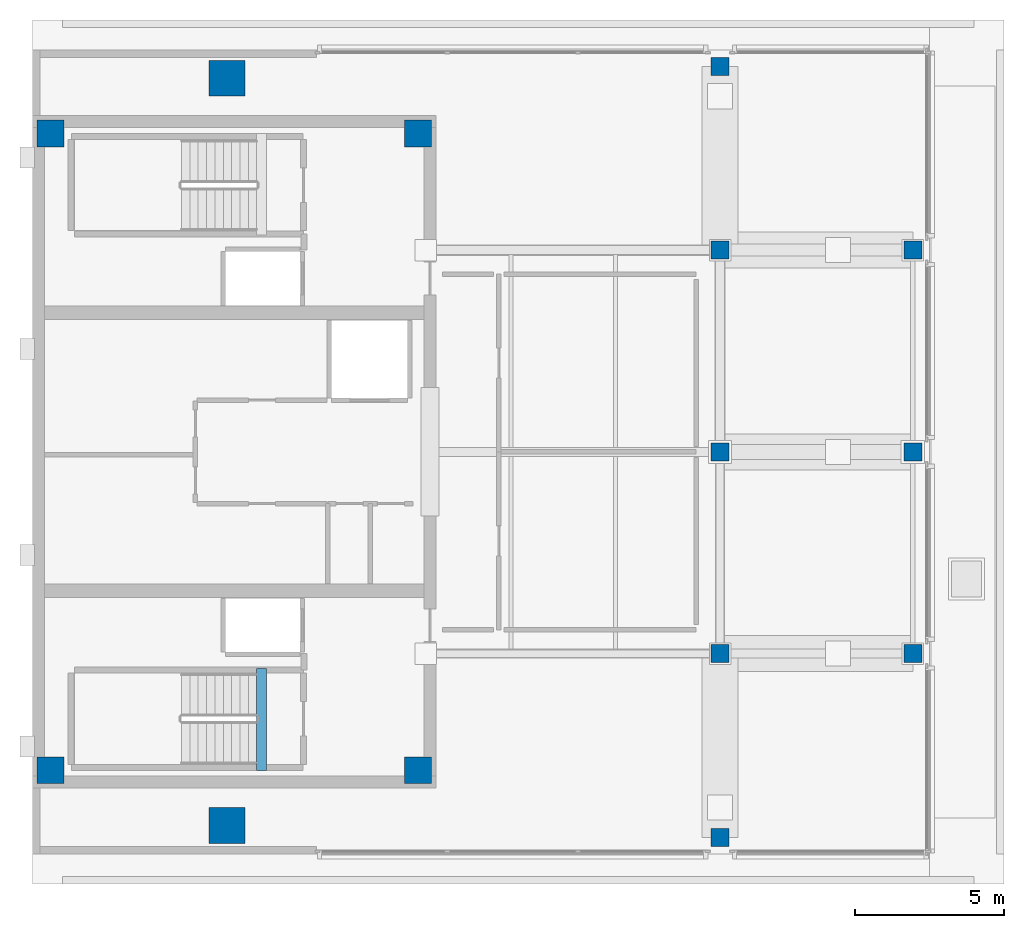
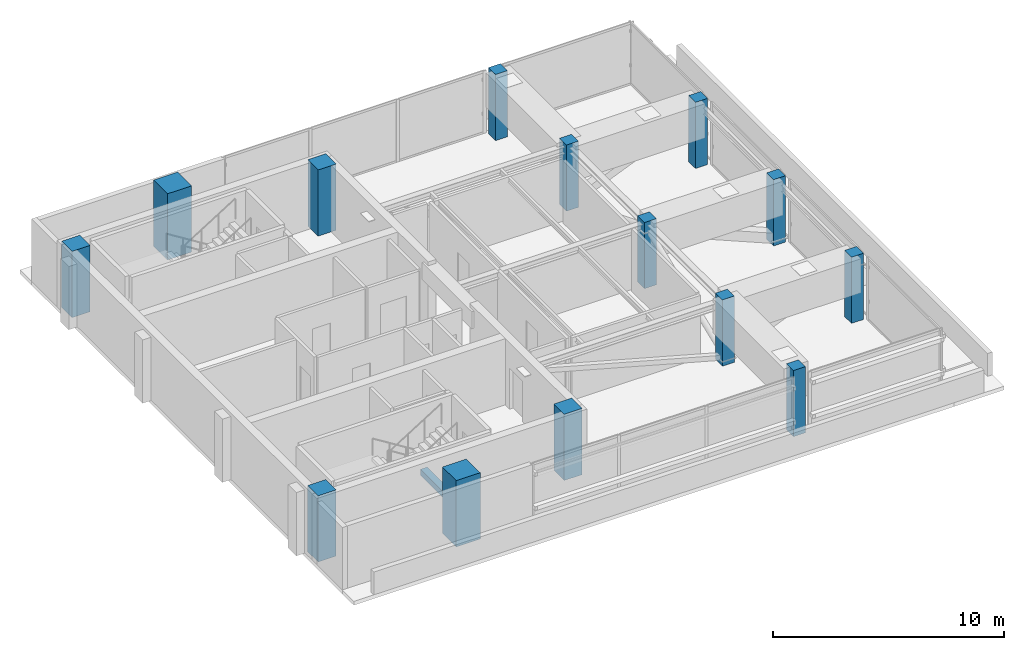
# One storey, part 1 of 9: 14 columns, 1 beam.
"""IFC4 building model written with IfcOpenShell, lengths in metres."""

from ifc_helpers import new_model, si_unit, direction, frame, origin, origin_2d, place, context, subcontext, project, spatial, rectangle, extrude, material, material_profile, profile_set, type_object, element, save


model = new_model("IFC4")

# Units and contexts
model_context = context("Model", 3, precision=1e-05, world=origin(), true_north=direction((0.0, 1.0)))
body_context = subcontext(model_context, "Body", "Model", "MODEL_VIEW")
ifc_project = project(units=[si_unit("LENGTHUNIT", "METRE"), si_unit("AREAUNIT", "SQUARE_METRE"), si_unit("VOLUMEUNIT", "CUBIC_METRE"), si_unit("PLANEANGLEUNIT", "RADIAN"), si_unit("MASSUNIT", "GRAM", prefix="KILO")], contexts=[model_context])

# Site, building, storey
site_placement = place(None, origin())
site = spatial("IfcSite", under=ifc_project, at=site_placement, CompositionType="ELEMENT")
building_placement = place(site_placement, origin())
building = spatial("IfcBuilding", under=site, at=building_placement, Name="Kinhvarn Gate Tower", CompositionType="ELEMENT")
storey_placement = place(building_placement, frame((0.0, 0.0, 314.550048828125)))
storey = spatial("IfcBuildingStorey", under=building, at=storey_placement, Name="L83", CompositionType="ELEMENT", Elevation=314.550048828125)

# Columns
ifc_material_1 = material(Name="Concrete C60/75", Category="concrete")
ifc_material_profile_1 = material_profile(ifc_material_1, rectangle(XDim=1.199951171875, YDim=1.199951171875, at=origin_2d()), Name="RC 1200x1200")
ifc_profile_set_1 = profile_set([ifc_material_profile_1], Name="Concrete C60/75")
column_type_1 = type_object("IfcColumnType", Name="COL-RC-1200", PredefinedType="COLUMN", material=ifc_profile_set_1)
for number, where, z_axis, x_axis, name in (
    (1, (11.0, 12.75, 0.0), (0.0, 0.0, 1.0), (1.0, 0.0, 0.0), "Column MC1-L83 (C-120)"),
    (2, (11.0, 37.75, 0.0), (0.0, 0.0, 1.0), (1.0, 0.0, 0.0), "Column MC4-L83 (C-120)"),
):
    element("IfcColumn", number, at=place(storey_placement, frame(where, z_axis=z_axis, x_axis=x_axis)), inside=storey, type_object=column_type_1, Name=name, PredefinedType="COLUMN", context=body_context, shape_type="SweptSolid", body=[
        extrude(rectangle(XDim=1.199951171875, YDim=1.199951171875, at=origin_2d()), origin(), (0.0, 0.0, 1.0), 3.5),
    ])
ifc_material_2 = material(Name="Concrete C50/60", Category="concrete")
ifc_material_profile_2 = material_profile(ifc_material_2, rectangle(XDim=0.60009765625, YDim=0.60009765625, at=origin_2d()), Name="RC 600x600")
ifc_profile_set_2 = profile_set([ifc_material_profile_2], Name="Concrete C50/60")
column_type_2 = type_object("IfcColumnType", Name="COL-RC-600", PredefinedType="COLUMN", material=ifc_profile_set_2)
for number, where, z_axis, x_axis, name in (
    (3, (33.949951171875, 18.5, 0.0), (0.0, 0.0, 1.0), (1.0, 0.0, 0.0), "Column CCR-E1-L83 (C-060)"),
    (4, (27.5, 18.5, 0.0), (0.0, 0.0, 1.0), (1.0, 0.0, 0.0), "Column CRANC-1-L83 (C-060)"),
    (5, (33.949951171875, 25.25, 0.0), (0.0, 0.0, 1.0), (1.0, 0.0, 0.0), "Column CCR-E2-L83 (C-060)"),
    (6, (27.5, 25.25, 0.0), (0.0, 0.0, 1.0), (1.0, 0.0, 0.0), "Column CRANC-2-L83 (C-060)"),
    (7, (33.949951171875, 32.0, 0.0), (0.0, 0.0, 1.0), (1.0, 0.0, 0.0), "Column CCR-E3-L83 (C-060)"),
    (8, (27.5, 32.0, 0.0), (0.0, 0.0, 1.0), (1.0, 0.0, 0.0), "Column CRANC-3-L83 (C-060)"),
    (9, (27.5, 12.35009765625, 0.0), (0.0, 0.0, 1.0), (1.0, 0.0, 0.0), "Column CCR-S1-L83 (C-060)"),
    (10, (27.5, 38.14990234375, 0.0), (0.0, 0.0, 1.0), (1.0, 0.0, 0.0), "Column CCR-N1-L83 (C-060)"),
):
    element("IfcColumn", number, at=place(storey_placement, frame(where, z_axis=z_axis, x_axis=x_axis)), inside=storey, type_object=column_type_2, Name=name, PredefinedType="COLUMN", context=body_context, shape_type="SweptSolid", body=[
        extrude(rectangle(XDim=0.60009765625, YDim=0.60009765625, at=origin_2d()), origin(), (0.0, 0.0, 1.0), 3.5),
    ])
ifc_material_profile_3 = material_profile(ifc_material_2, rectangle(XDim=0.89990234375, YDim=0.89990234375, at=origin_2d()), Name="RC 900x900")
ifc_profile_set_3 = profile_set([ifc_material_profile_3], Name="Concrete C50/60")
column_type_3 = type_object("IfcColumnType", Name="PIL-RC-900", PredefinedType="PILASTER", material=ifc_profile_set_3)
for number, where, z_axis, x_axis, name in (
    (11, (5.10009765625, 14.60009765625, 0.0), (0.0, 0.0, 1.0), (1.0, 0.0, 0.0), "Column CC-SW-L83 (CP-090)"),
    (12, (5.10009765625, 35.89990234375, 0.0), (0.0, 0.0, 1.0), (1.0, 0.0, 0.0), "Column CC-NW-L83 (CP-090)"),
    (13, (17.39990234375, 14.60009765625, 0.0), (0.0, 0.0, 1.0), (1.0, 0.0, 0.0), "Column CC-SE-L83 (CP-090)"),
    (14, (17.39990234375, 35.89990234375, 0.0), (0.0, 0.0, 1.0), (1.0, 0.0, 0.0), "Column CC-NE-L83 (CP-090)"),
):
    element("IfcColumn", number, at=place(storey_placement, frame(where, z_axis=z_axis, x_axis=x_axis)), inside=storey, type_object=column_type_3, Name=name, PredefinedType="PILASTER", context=body_context, shape_type="SweptSolid", body=[
        extrude(rectangle(XDim=0.89990234375, YDim=0.89990234375, at=origin_2d()), origin(), (0.0, 0.0, 1.0), 3.5),
    ])

# Beam
ifc_material_profile_4 = material_profile(ifc_material_2, rectangle(XDim=0.340087890625, YDim=0.320068359375, at=origin_2d()), Name="RC 340x320")
ifc_profile_set_4 = profile_set([ifc_material_profile_4], Name="Concrete C50/60")
beam_type = type_object("IfcBeamType", Name="BM-LND-500", PredefinedType="BEAM", material=ifc_profile_set_4)
beam_placement = place(storey_placement, frame((12.1650390625, 14.60009765625, -0.16015625), z_axis=(0.0, 1.0, 0.0), x_axis=(-1.0, 0.0, 0.0)))
element("IfcBeam", 15, at=beam_placement, inside=storey, type_object=beam_type, Name="Stair ST1 Landing Nosing Beam (L83)", PredefinedType="BEAM", context=body_context, shape_type="SweptSolid", body=[
    extrude(rectangle(XDim=0.340087890625, YDim=0.320068359375, at=origin_2d()), origin(), (0.0, 0.0, 1.0), 3.39990234375),
])

save(model, "model.ifc")
